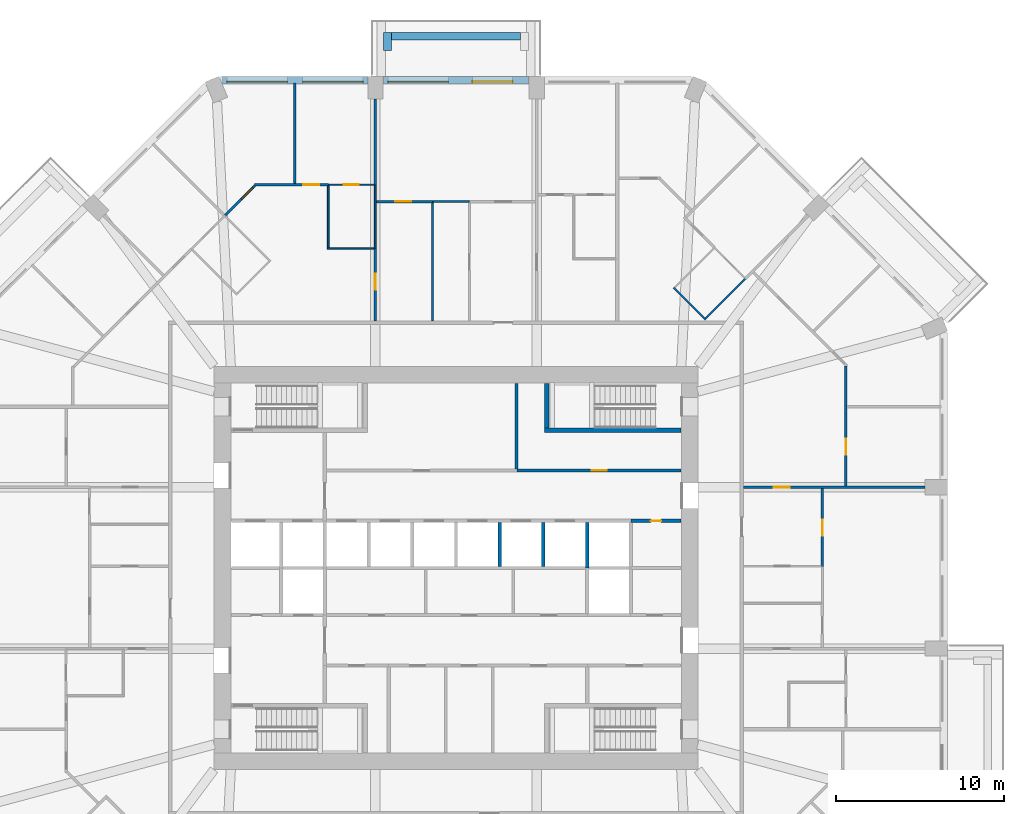
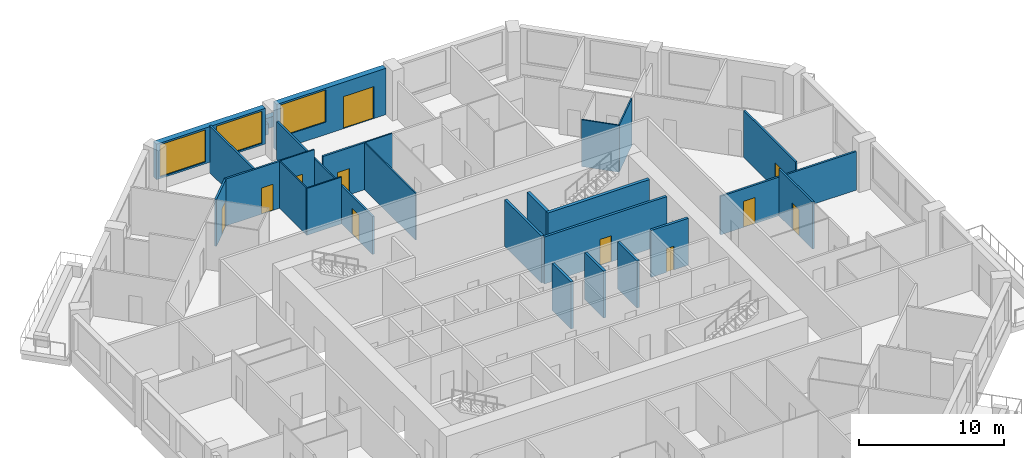
# One storey, part 9 of 13: 29 walls, 11 doors, 3 windows, 14 openings.
"""IFC4 building model written with IfcOpenShell, lengths in metres."""

from ifc_helpers import new_model, si_unit, direction, frame, frame_2d, origin, place, context, subcontext, project, spatial, rectangle, extrude, material, layer, layer_set, type_object, element, fill, save


model = new_model("IFC4")

# Units and contexts
model_context = context("Model", 3, precision=1e-05, world=origin(), true_north=direction((0.0, 1.0)))
body_context = subcontext(model_context, "Body", "Model", "MODEL_VIEW")
ifc_project = project(units=[si_unit("LENGTHUNIT", "METRE"), si_unit("AREAUNIT", "SQUARE_METRE"), si_unit("VOLUMEUNIT", "CUBIC_METRE"), si_unit("PLANEANGLEUNIT", "RADIAN"), si_unit("MASSUNIT", "GRAM", prefix="KILO")], contexts=[model_context])

# Site, building, storey
site_placement = place(None, origin())
site = spatial("IfcSite", under=ifc_project, at=site_placement, CompositionType="ELEMENT")
building_placement = place(site_placement, origin())
building = spatial("IfcBuilding", under=site, at=building_placement, Name="Msitu Wima Residences", CompositionType="ELEMENT")
storey_placement = place(building_placement, frame((0.0, 0.0, 50.699951171875)))
storey = spatial("IfcBuildingStorey", under=building, at=storey_placement, Name="L11", CompositionType="ELEMENT", Elevation=50.699951171875)

# Walls
ifc_material_1 = material(Name="Facing brick")
ifc_layer_1 = layer(ifc_material_1, 0.06494140625, Name="Facing brick")
ifc_material_2 = material(Name="Concrete C40/50", Category="concrete")
ifc_layer_2 = layer(ifc_material_2, 0.156005859375, Name="Concrete C40/50")
ifc_material_3 = material(Name="Waterproofing membrane")
ifc_layer_3 = layer(ifc_material_3, 0.00390625, Name="Waterproofing membrane")
ifc_material_4 = material(Name="Planting soil and planting")
ifc_layer_4 = layer(ifc_material_4, 0.22509765625, Name="Planting soil and planting")
ifc_layer_set_1 = layer_set([ifc_layer_1, ifc_layer_2, ifc_layer_3, ifc_layer_4], Name="Concrete C40/50")
wall_type_1 = type_object("IfcWallType", Name="Balcony planter PLANTER PL450", PredefinedType="USERDEFINED", material=ifc_layer_set_1)
wall_1_placement = place(storey_placement, frame((3.85009765625, 31.625, 0.0), z_axis=(0.0, 0.0, 1.0), x_axis=(-1.0, 0.0, 0.0)))
element("IfcWall", 1, at=wall_1_placement, inside=storey, type_object=wall_type_1, Name="Balcony planter N1 L11", ObjectType="PLANTER", PredefinedType="USERDEFINED", context=body_context, shape_type="SweptSolid", body=[
    extrude(rectangle(XDim=7.7001953125, YDim=0.449951171875, at=frame_2d((3.85009765625, 0.0))), origin(), (0.0, 0.0, 1.0), 0.900146484375),
])
wall_2_placement = place(storey_placement, frame((-4.074951171875, 30.800048828125, 0.0), z_axis=(0.0, 0.0, 1.0), x_axis=(0.0, 1.0, 0.0)))
element("IfcWall", 2, at=wall_2_placement, inside=storey, type_object=wall_type_1, Name="Balcony planter N1 L11", ObjectType="PLANTER", PredefinedType="USERDEFINED", context=body_context, shape_type="SweptSolid", body=[
    extrude(rectangle(XDim=1.050048828125, YDim=0.449951171875, at=frame_2d((0.52490234375, 0.0))), origin(), (0.0, 0.0, 1.0), 0.900146484375),
])

# Wall, openings, door, window
ifc_material_5 = material(Name="Brick (red buff mix)", Category="masonry")
ifc_layer_5 = layer(ifc_material_5, 0.449951171875)
ifc_layer_set_2 = layer_set([ifc_layer_5], Name="Brick (red buff mix)")
wall_type_2 = type_object("IfcWallType", Name="Brick infill wall BW450", PredefinedType="SOLIDWALL", material=ifc_layer_set_2)
wall_3_placement = place(storey_placement, frame((4.35009765625, 29.02490234375, 0.0), z_axis=(0.0, 0.0, 1.0), x_axis=(-1.0, 0.0, 0.0)))
wall_3 = element("IfcWall", 3, at=wall_3_placement, inside=storey, type_object=wall_type_2, Name="Brick infill wall L11 N1", PredefinedType="SOLIDWALL", context=body_context, shape_type="SweptSolid", body=[
    extrude(rectangle(XDim=8.7001953125, YDim=0.449951171875, at=frame_2d((4.35009765625, 0.0))), origin(), (0.0, 0.0, 1.0), 3.900146484375),
])
opening_1_placement = place(wall_3_placement, frame((0.97509765625, 0.0, 0.0)))
opening_1 = element("IfcOpeningElement", 4, at=opening_1_placement, cuts=wall_3, Name="Opening D11-12.002", PredefinedType="OPENING", context=body_context, shape_type="SweptSolid", body=[
    extrude(rectangle(XDim=2.39990234375, YDim=2.699951171875, at=frame_2d((1.199951171875, 1.35009765625))), frame((0.0, 0.23486328125, 0.0), z_axis=(0.0, -1.0, 0.0), x_axis=(1.0, 0.0, 0.0)), (0.0, 0.0, 1.0), 0.469970703125),
])
opening_2_placement = place(wall_3_placement, frame((4.800048828125, 0.0, 1.050048828125)))
opening_2 = element("IfcOpeningElement", 5, at=opening_2_placement, cuts=wall_3, Name="Opening W11-12.008", PredefinedType="OPENING", context=body_context, shape_type="SweptSolid", body=[
    extrude(rectangle(XDim=3.60009765625, YDim=2.699951171875, at=frame_2d((1.800048828125, 1.35009765625))), frame((0.0, 0.23486328125, 0.0), z_axis=(0.0, -1.0, 0.0), x_axis=(1.0, 0.0, 0.0)), (0.0, 0.0, 1.0), 0.469970703125),
])
ifc_material_6 = material(Name="Anodised aluminium, bronze finish, clear low-emissivity double glazing", Category="aluminium")
door_type_1 = type_object("IfcDoorType", Name="Balcony door D2400x2700", OperationType="SLIDING_TO_LEFT", PredefinedType="DOOR", material=ifc_material_6)
door_1_placement = place(opening_1_placement, origin())
door_1 = element("IfcDoor", 6, at=door_1_placement, inside=storey, type_object=door_type_1, Name="Balcony door L11 N1", OperationType="SINGLE_SWING_LEFT", OverallHeight=2.699951171875, OverallWidth=2.39990234375, PredefinedType="DOOR", context=body_context, shape_type="SweptSolid", body=[
    extrude(rectangle(XDim=2.39990234375, YDim=2.699951171875, at=frame_2d((1.199951171875, 1.35009765625))), frame((0.0, 0.1298828125, 0.0), z_axis=(0.0, -1.0, 0.0), x_axis=(1.0, 0.0, 0.0)), (0.0, 0.0, 1.0), 0.050048828125),
])
fill(opening_1, door_1)
window_type = type_object("IfcWindowType", Name="Window W3600x2700", PartitioningType="DOUBLE_PANEL_VERTICAL", PredefinedType="WINDOW", material=ifc_material_6)
window_1_placement = place(opening_2_placement, origin())
window_1 = element("IfcWindow", 7, at=window_1_placement, inside=storey, type_object=window_type, Name="Window L11 N1.2", OverallHeight=2.699951171875, OverallWidth=3.60009765625, PartitioningType="SINGLE_PANEL", PredefinedType="WINDOW", context=body_context, shape_type="SweptSolid", body=[
    extrude(rectangle(XDim=3.60009765625, YDim=2.699951171875, at=frame_2d((1.800048828125, 1.35009765625))), frame((0.0, 0.135009765625, 0.0), z_axis=(0.0, -1.0, 0.0), x_axis=(1.0, 0.0, 0.0)), (0.0, 0.0, 1.0), 0.06005859375),
])
fill(opening_2, window_1)

# Wall, openings, windows
wall_4_placement = place(storey_placement, frame((-5.25, 29.02490234375, 0.900146484375), z_axis=(0.0, 0.0, 1.0), x_axis=(-1.0, 0.0, 0.0)))
wall_4 = element("IfcWall", 8, at=wall_4_placement, inside=storey, type_object=wall_type_2, Name="Brick infill wall L11 N2", PredefinedType="SOLIDWALL", context=body_context, shape_type="SweptSolid", body=[
    extrude(rectangle(XDim=8.662841796875, YDim=0.449951171875, at=frame_2d((4.33154296875, 0.0))), origin(), (0.0, 0.0, 1.0), 3.0),
])
opening_3_placement = place(wall_4_placement, frame((0.281494140625, 0.0, 0.14990234375)))
opening_3 = element("IfcOpeningElement", 9, at=opening_3_placement, cuts=wall_4, Name="Opening W11-12.009", PredefinedType="OPENING", context=body_context, shape_type="SweptSolid", body=[
    extrude(rectangle(XDim=3.60009765625, YDim=2.699951171875, at=frame_2d((1.800048828125, 1.35009765625))), frame((0.0, 0.23486328125, 0.0), z_axis=(0.0, -1.0, 0.0), x_axis=(1.0, 0.0, 0.0)), (0.0, 0.0, 1.0), 0.469970703125),
])
opening_4_placement = place(wall_4_placement, frame((4.781494140625, 0.0, 0.14990234375)))
opening_4 = element("IfcOpeningElement", 10, at=opening_4_placement, cuts=wall_4, Name="Opening W11-12.010", PredefinedType="OPENING", context=body_context, shape_type="SweptSolid", body=[
    extrude(rectangle(XDim=3.60009765625, YDim=2.699951171875, at=frame_2d((1.800048828125, 1.35009765625))), frame((0.0, 0.23486328125, 0.0), z_axis=(0.0, -1.0, 0.0), x_axis=(1.0, 0.0, 0.0)), (0.0, 0.0, 1.0), 0.469970703125),
])
window_2_placement = place(opening_3_placement, origin())
window_2 = element("IfcWindow", 11, at=window_2_placement, inside=storey, type_object=window_type, Name="Window L11 N2.1", OverallHeight=2.699951171875, OverallWidth=3.60009765625, PartitioningType="SINGLE_PANEL", PredefinedType="WINDOW", context=body_context, shape_type="SweptSolid", body=[
    extrude(rectangle(XDim=3.60009765625, YDim=2.699951171875, at=frame_2d((1.800048828125, 1.35009765625))), frame((0.0, 0.135009765625, 0.0), z_axis=(0.0, -1.0, 0.0), x_axis=(1.0, 0.0, 0.0)), (0.0, 0.0, 1.0), 0.06005859375),
])
fill(opening_3, window_2)
window_3_placement = place(opening_4_placement, origin())
window_3 = element("IfcWindow", 12, at=window_3_placement, inside=storey, type_object=window_type, Name="Window L11 N2.2", OverallHeight=2.699951171875, OverallWidth=3.60009765625, PartitioningType="SINGLE_PANEL", PredefinedType="WINDOW", context=body_context, shape_type="SweptSolid", body=[
    extrude(rectangle(XDim=3.60009765625, YDim=2.699951171875, at=frame_2d((1.800048828125, 1.35009765625))), frame((0.0, 0.135009765625, 0.0), z_axis=(0.0, -1.0, 0.0), x_axis=(1.0, 0.0, 0.0)), (0.0, 0.0, 1.0), 0.06005859375),
])
fill(opening_4, window_3)

# Wall, opening, door
ifc_material_7 = material(Name="Plaster")
ifc_layer_6 = layer(ifc_material_7, 0.011962890625, Name="Plaster")
ifc_material_8 = material(Name="Concrete blockwork", Category="masonry")
ifc_layer_7 = layer(ifc_material_8, 0.1259765625, Name="Concrete blockwork")
ifc_layer_8 = layer(ifc_material_7, 0.011962890625, Name="Plaster")
ifc_layer_set_3 = layer_set([ifc_layer_6, ifc_layer_7, ifc_layer_8], Name="Concrete blockwork")
wall_type_3 = type_object("IfcWallType", Name="Partition PW150", PredefinedType="PARTITIONING", material=ifc_layer_set_3)
wall_5_placement = place(storey_placement, frame((-13.7431640625, 20.971435546875, 0.0), z_axis=(0.0, 0.0, 1.0), x_axis=(0.707058164405, 0.707155394626, 0.0)))
wall_5 = element("IfcWall", 13, at=wall_5_placement, inside=storey, type_object=wall_type_3, Name="Partition", PredefinedType="PARTITIONING", context=body_context, shape_type="SweptSolid", body=[
    extrude(rectangle(XDim=2.510986328125, YDim=0.14990234375, at=frame_2d((1.25537109375, 0.0))), origin(), (0.0, 0.0, 1.0), 3.949951171875),
])
opening_5_placement = place(wall_5_placement, frame((1.39990234375, 0.0, 0.0)))
opening_5 = element("IfcOpeningElement", 14, at=opening_5_placement, cuts=wall_5, Name="Opening D11-12.056", PredefinedType="OPENING", context=body_context, shape_type="SweptSolid", body=[
    extrude(rectangle(XDim=0.949951171875, YDim=2.199951171875, at=frame_2d((0.47509765625, 1.10009765625))), frame((0.0, 0.0849609375, 0.0), z_axis=(0.0, -1.0, 0.0), x_axis=(1.0, 0.0, 0.0)), (0.0, 0.0, 1.0), 0.169921875),
])
ifc_material_9 = material(Name="Timber flush door", Category="wood")
door_type_2 = type_object("IfcDoorType", Name="Room door D12 950x2200", OperationType="SINGLE_SWING_LEFT", PredefinedType="DOOR", material=ifc_material_9)
door_2_placement = place(opening_5_placement, origin())
door_2 = element("IfcDoor", 15, at=door_2_placement, inside=storey, type_object=door_type_2, Name="Room door", OperationType="SINGLE_SWING_LEFT", OverallHeight=2.199951171875, OverallWidth=0.949951171875, PredefinedType="DOOR", context=body_context, shape_type="SweptSolid", body=[
    extrude(rectangle(XDim=0.949951171875, YDim=2.199951171875, at=frame_2d((0.47509765625, 1.10009765625))), frame((0.0, 0.02490234375, 0.0), z_axis=(0.0, -1.0, 0.0), x_axis=(1.0, 0.0, 0.0)), (0.0, 0.0, 1.0), 0.050048828125),
])
fill(opening_5, door_2)

wall_6_placement = place(storey_placement, frame((-11.98974609375, 22.800048828125, 0.0), z_axis=(0.0, 0.0, 1.0), x_axis=(1.0, 0.0, 0.0)))
wall_6 = element("IfcWall", 16, at=wall_6_placement, inside=storey, type_object=wall_type_3, Name="Partition", PredefinedType="PARTITIONING", context=body_context, shape_type="SweptSolid", body=[
    extrude(rectangle(XDim=4.40966796875, YDim=0.14990234375, at=frame_2d((2.204833984375, 0.0))), origin(), (0.0, 0.0, 1.0), 3.949951171875),
])
opening_6_placement = place(wall_6_placement, frame((2.89990234375, 0.0, 0.0)))
opening_6 = element("IfcOpeningElement", 17, at=opening_6_placement, cuts=wall_6, Name="Opening D11-12.053", PredefinedType="OPENING", context=body_context, shape_type="SweptSolid", body=[
    extrude(rectangle(XDim=0.949951171875, YDim=2.199951171875, at=frame_2d((0.47509765625, 1.10009765625))), frame((0.0, 0.0849609375, 0.0), z_axis=(0.0, -1.0, 0.0), x_axis=(1.0, 0.0, 0.0)), (0.0, 0.0, 1.0), 0.169921875),
])
door_3_placement = place(opening_6_placement, origin())
door_3 = element("IfcDoor", 18, at=door_3_placement, inside=storey, type_object=door_type_2, Name="Room door", OperationType="SINGLE_SWING_LEFT", OverallHeight=2.199951171875, OverallWidth=0.949951171875, PredefinedType="DOOR", context=body_context, shape_type="SweptSolid", body=[
    extrude(rectangle(XDim=0.949951171875, YDim=2.199951171875, at=frame_2d((0.47509765625, 1.10009765625))), frame((0.0, 0.02490234375, 0.0), z_axis=(0.0, -1.0, 0.0), x_axis=(1.0, 0.0, 0.0)), (0.0, 0.0, 1.0), 0.050048828125),
])
fill(opening_6, door_3)

# Wall
wall_7_placement = place(storey_placement, frame((-9.60009765625, 22.875, 0.0), z_axis=(0.0, 0.0, 1.0), x_axis=(0.0, 1.0, 0.0)))
element("IfcWall", 19, at=wall_7_placement, inside=storey, type_object=wall_type_3, Name="Partition", PredefinedType="PARTITIONING", context=body_context, shape_type="SweptSolid", body=[
    extrude(rectangle(XDim=5.97998046875, YDim=0.14990234375, at=frame_2d((2.989990234375, 0.0))), origin(), (0.0, 0.0, 1.0), 3.949951171875),
])

# Wall, opening, door
wall_8_placement = place(storey_placement, frame((-4.800048828125, 14.699951171875, 0.0), z_axis=(0.0, 0.0, 1.0), x_axis=(0.0, 1.0, 0.0)))
wall_8 = element("IfcWall", 20, at=wall_8_placement, inside=storey, type_object=wall_type_3, Name="Partition", PredefinedType="PARTITIONING", context=body_context, shape_type="SweptSolid", body=[
    extrude(rectangle(XDim=4.320068359375, YDim=0.14990234375, at=frame_2d((2.16015625, 0.0))), origin(), (0.0, 0.0, 1.0), 3.199951171875),
])
opening_7_placement = place(wall_8_placement, frame((1.85009765625, 0.0, 0.0)))
opening_7 = element("IfcOpeningElement", 21, at=opening_7_placement, cuts=wall_8, Name="Opening D11-12.049", PredefinedType="OPENING", context=body_context, shape_type="SweptSolid", body=[
    extrude(rectangle(XDim=0.949951171875, YDim=2.199951171875, at=frame_2d((0.47509765625, 1.10009765625))), frame((0.0, 0.0849609375, 0.0), z_axis=(0.0, -1.0, 0.0), x_axis=(1.0, 0.0, 0.0)), (0.0, 0.0, 1.0), 0.169921875),
])
door_4_placement = place(opening_7_placement, origin())
door_4 = element("IfcDoor", 22, at=door_4_placement, inside=storey, type_object=door_type_2, Name="Room door", OperationType="SINGLE_SWING_RIGHT", OverallHeight=2.199951171875, OverallWidth=0.949951171875, PredefinedType="DOOR", context=body_context, shape_type="SweptSolid", body=[
    extrude(rectangle(XDim=0.949951171875, YDim=2.199951171875, at=frame_2d((0.47509765625, 1.10009765625))), frame((0.0, 0.02490234375, 0.0), z_axis=(0.0, -1.0, 0.0), x_axis=(1.0, 0.0, 0.0)), (0.0, 0.0, 1.0), 0.050048828125),
])
fill(opening_7, door_4)

wall_9_placement = place(storey_placement, frame((-4.75, 21.800048828125, 0.0), z_axis=(0.0, 0.0, 1.0), x_axis=(1.0, 0.0, 0.0)))
wall_9 = element("IfcWall", 23, at=wall_9_placement, inside=storey, type_object=wall_type_3, Name="Partition", PredefinedType="PARTITIONING", context=body_context, shape_type="SweptSolid", body=[
    extrude(rectangle(XDim=3.3701171875, YDim=0.14990234375, at=frame_2d((1.68505859375, 0.0))), origin(), (0.0, 0.0, 1.0), 3.949951171875),
])
opening_8_placement = place(wall_9_placement, frame((1.14990234375, 0.0, 0.0)))
opening_8 = element("IfcOpeningElement", 24, at=opening_8_placement, cuts=wall_9, Name="Opening D11-12.047", PredefinedType="OPENING", context=body_context, shape_type="SweptSolid", body=[
    extrude(rectangle(XDim=0.949951171875, YDim=2.199951171875, at=frame_2d((0.47509765625, 1.10009765625))), frame((0.0, 0.0849609375, 0.0), z_axis=(0.0, -1.0, 0.0), x_axis=(1.0, 0.0, 0.0)), (0.0, 0.0, 1.0), 0.169921875),
])
door_5_placement = place(opening_8_placement, origin())
door_5 = element("IfcDoor", 25, at=door_5_placement, inside=storey, type_object=door_type_2, Name="Room door", OperationType="SINGLE_SWING_LEFT", OverallHeight=2.199951171875, OverallWidth=0.949951171875, PredefinedType="DOOR", context=body_context, shape_type="SweptSolid", body=[
    extrude(rectangle(XDim=0.949951171875, YDim=2.199951171875, at=frame_2d((0.47509765625, 1.10009765625))), frame((0.0, 0.02490234375, 0.0), z_axis=(0.0, -1.0, 0.0), x_axis=(1.0, 0.0, 0.0)), (0.0, 0.0, 1.0), 0.050048828125),
])
fill(opening_8, door_5)

# Wall
wall_10_placement = place(storey_placement, frame((-4.800048828125, 22.780029296875, 0.0), z_axis=(0.0, 0.0, 1.0), x_axis=(0.0, 1.0, 0.0)))
element("IfcWall", 26, at=wall_10_placement, inside=storey, type_object=wall_type_3, Name="Partition", PredefinedType="PARTITIONING", context=body_context, shape_type="SweptSolid", body=[
    extrude(rectangle(XDim=5.119873046875, YDim=0.14990234375, at=frame_2d((2.56005859375, 0.0))), origin(), (0.0, 0.0, 1.0), 3.199951171875),
])

# Wall, opening, door
wall_11_placement = place(storey_placement, frame((17.10009765625, 4.800048828125, 0.0), z_axis=(0.0, 0.0, 1.0), x_axis=(1.0, 0.0, 0.0)))
wall_11 = element("IfcWall", 27, at=wall_11_placement, inside=storey, type_object=wall_type_3, Name="Partition", PredefinedType="PARTITIONING", context=body_context, shape_type="SweptSolid", body=[
    extrude(rectangle(XDim=10.7998046875, YDim=0.14990234375, at=frame_2d((5.39990234375, 0.0))), origin(), (0.0, 0.0, 1.0), 3.25),
])
opening_9_placement = place(wall_11_placement, frame((1.800048828125, 0.0, 0.0)))
opening_9 = element("IfcOpeningElement", 28, at=opening_9_placement, cuts=wall_11, Name="Opening D11-12.059", PredefinedType="OPENING", context=body_context, shape_type="SweptSolid", body=[
    extrude(rectangle(XDim=0.949951171875, YDim=2.199951171875, at=frame_2d((0.47509765625, 1.10009765625))), frame((0.0, 0.0849609375, 0.0), z_axis=(0.0, -1.0, 0.0), x_axis=(1.0, 0.0, 0.0)), (0.0, 0.0, 1.0), 0.169921875),
])
door_6_placement = place(opening_9_placement, origin())
door_6 = element("IfcDoor", 29, at=door_6_placement, inside=storey, type_object=door_type_2, Name="Room door", OperationType="SINGLE_SWING_LEFT", OverallHeight=2.199951171875, OverallWidth=0.949951171875, PredefinedType="DOOR", context=body_context, shape_type="SweptSolid", body=[
    extrude(rectangle(XDim=0.949951171875, YDim=2.199951171875, at=frame_2d((0.47509765625, 1.10009765625))), frame((0.0, 0.02490234375, 0.0), z_axis=(0.0, -1.0, 0.0), x_axis=(1.0, 0.0, 0.0)), (0.0, 0.0, 1.0), 0.050048828125),
])
fill(opening_9, door_6)

wall_12_placement = place(storey_placement, frame((21.800048828125, 0.080078125, 0.0), z_axis=(0.0, 0.0, 1.0), x_axis=(0.0, 1.0, 0.0)))
wall_12 = element("IfcWall", 30, at=wall_12_placement, inside=storey, type_object=wall_type_3, Name="Partition", PredefinedType="PARTITIONING", context=body_context, shape_type="SweptSolid", body=[
    extrude(rectangle(XDim=4.64501953125, YDim=0.14990234375, at=frame_2d((2.322509765625, 0.0))), origin(), (0.0, 0.0, 1.0), 3.949951171875),
])
opening_10_placement = place(wall_12_placement, frame((1.85009765625, 0.0, 0.0)))
opening_10 = element("IfcOpeningElement", 31, at=opening_10_placement, cuts=wall_12, Name="Opening D11-12.037", PredefinedType="OPENING", context=body_context, shape_type="SweptSolid", body=[
    extrude(rectangle(XDim=0.949951171875, YDim=2.199951171875, at=frame_2d((0.47509765625, 1.10009765625))), frame((0.0, 0.0849609375, 0.0), z_axis=(0.0, -1.0, 0.0), x_axis=(1.0, 0.0, 0.0)), (0.0, 0.0, 1.0), 0.169921875),
])
door_7_placement = place(opening_10_placement, origin())
door_7 = element("IfcDoor", 32, at=door_7_placement, inside=storey, type_object=door_type_2, Name="Room door", OperationType="SINGLE_SWING_LEFT", OverallHeight=2.199951171875, OverallWidth=0.949951171875, PredefinedType="DOOR", context=body_context, shape_type="SweptSolid", body=[
    extrude(rectangle(XDim=0.949951171875, YDim=2.199951171875, at=frame_2d((0.47509765625, 1.10009765625))), frame((0.0, 0.02490234375, 0.0), z_axis=(0.0, -1.0, 0.0), x_axis=(1.0, 0.0, 0.0)), (0.0, 0.0, 1.0), 0.050048828125),
])
fill(opening_10, door_7)

wall_13_placement = place(storey_placement, frame((23.199951171875, 4.875, 0.0), z_axis=(0.0, 0.0, 1.0), x_axis=(0.0, 1.0, 0.0)))
wall_13 = element("IfcWall", 33, at=wall_13_placement, inside=storey, type_object=wall_type_3, Name="Partition", PredefinedType="PARTITIONING", context=body_context, shape_type="SweptSolid", body=[
    extrude(rectangle(XDim=7.13037109375, YDim=0.14990234375, at=frame_2d((3.565185546875, 0.0))), origin(), (0.0, 0.0, 1.0), 3.949951171875),
])
opening_11_placement = place(wall_13_placement, frame((1.85009765625, 0.0, 0.0)))
opening_11 = element("IfcOpeningElement", 34, at=opening_11_placement, cuts=wall_13, Name="Opening D11-12.070", PredefinedType="OPENING", context=body_context, shape_type="SweptSolid", body=[
    extrude(rectangle(XDim=0.949951171875, YDim=2.199951171875, at=frame_2d((0.47509765625, 1.10009765625))), frame((0.0, 0.0849609375, 0.0), z_axis=(0.0, -1.0, 0.0), x_axis=(1.0, 0.0, 0.0)), (0.0, 0.0, 1.0), 0.169921875),
])
door_8_placement = place(opening_11_placement, origin())
door_8 = element("IfcDoor", 35, at=door_8_placement, inside=storey, type_object=door_type_2, Name="Room door", OperationType="SINGLE_SWING_RIGHT", OverallHeight=2.199951171875, OverallWidth=0.949951171875, PredefinedType="DOOR", context=body_context, shape_type="SweptSolid", body=[
    extrude(rectangle(XDim=0.949951171875, YDim=2.199951171875, at=frame_2d((0.47509765625, 1.10009765625))), frame((0.0, 0.02490234375, 0.0), z_axis=(0.0, -1.0, 0.0), x_axis=(1.0, 0.0, 0.0)), (0.0, 0.0, 1.0), 0.050048828125),
])
fill(opening_11, door_8)

ifc_layer_9 = layer(ifc_material_7, 0.011962890625, Name="Plaster")
ifc_material_10 = material(Name="Reinforced concrete blockwork", Category="masonry")
ifc_layer_10 = layer(ifc_material_10, 0.176025390625, Name="Reinforced concrete blockwork")
ifc_layer_11 = layer(ifc_material_7, 0.011962890625, Name="Plaster")
ifc_layer_set_4 = layer_set([ifc_layer_9, ifc_layer_10, ifc_layer_11], Name="Reinforced concrete blockwork")
wall_type_4 = type_object("IfcWallType", Name="Plant and riser wall PL200", PredefinedType="PARTITIONING", material=ifc_layer_set_4)
wall_14_placement = place(storey_placement, frame((3.6201171875, 5.800048828125, 0.0), z_axis=(0.0, 0.0, 1.0), x_axis=(1.0, 0.0, 0.0)))
wall_14 = element("IfcWall", 36, at=wall_14_placement, inside=storey, type_object=wall_type_4, Name="Plant and riser wall", PredefinedType="PARTITIONING", context=body_context, shape_type="SweptSolid", body=[
    extrude(rectangle(XDim=9.75, YDim=0.199951171875, at=frame_2d((4.875, 0.0))), origin(), (0.0, 0.0, 1.0), 3.949951171875),
])
opening_12_placement = place(wall_14_placement, frame((4.449951171875, 0.0, 0.0)))
opening_12 = element("IfcOpeningElement", 37, at=opening_12_placement, cuts=wall_14, Name="Opening D11-12.018", PredefinedType="OPENING", context=body_context, shape_type="SweptSolid", body=[
    extrude(rectangle(XDim=0.89990234375, YDim=2.199951171875, at=frame_2d((0.449951171875, 1.10009765625))), frame((0.0, 0.10986328125, 0.0), z_axis=(0.0, -1.0, 0.0), x_axis=(1.0, 0.0, 0.0)), (0.0, 0.0, 1.0), 0.219970703125),
])
door_type_3 = type_object("IfcDoorType", Name="Service door D05 900x2200", OperationType="SINGLE_SWING_LEFT", PredefinedType="DOOR", material=ifc_material_9)
door_9_placement = place(opening_12_placement, origin())
door_9 = element("IfcDoor", 38, at=door_9_placement, inside=storey, type_object=door_type_3, Name="Service door", OperationType="SINGLE_SWING_RIGHT", OverallHeight=2.199951171875, OverallWidth=0.89990234375, PredefinedType="DOOR", context=body_context, shape_type="SweptSolid", body=[
    extrude(rectangle(XDim=0.89990234375, YDim=2.199951171875, at=frame_2d((0.449951171875, 1.10009765625))), frame((0.0, 0.02490234375, 0.0), z_axis=(0.0, -1.0, 0.0), x_axis=(1.0, 0.0, 0.0)), (0.0, 0.0, 1.0), 0.050048828125),
])
fill(opening_12, door_9)

# Wall
wall_15_placement = place(storey_placement, frame((3.60009765625, 5.89990234375, 0.0), z_axis=(0.0, 0.0, 1.0), x_axis=(0.0, 1.0, 0.0)))
element("IfcWall", 39, at=wall_15_placement, inside=storey, type_object=wall_type_4, Name="Plant and riser wall", PredefinedType="PARTITIONING", context=body_context, shape_type="SweptSolid", body=[
    extrude(rectangle(XDim=5.070068359375, YDim=0.199951171875, at=frame_2d((2.53515625, 0.0))), origin(), (0.0, 0.0, 1.0), 3.949951171875),
])

# Wall, opening, door
wall_16_placement = place(storey_placement, frame((10.39990234375, 2.800048828125, 0.0), z_axis=(0.0, 0.0, 1.0), x_axis=(1.0, 0.0, 0.0)))
wall_16 = element("IfcWall", 40, at=wall_16_placement, inside=storey, type_object=wall_type_4, Name="Plant and riser wall", PredefinedType="PARTITIONING", context=body_context, shape_type="SweptSolid", body=[
    extrude(rectangle(XDim=2.97021484375, YDim=0.199951171875, at=frame_2d((1.485107421875, 0.0))), origin(), (0.0, 0.0, 1.0), 3.949951171875),
])
opening_13_placement = place(wall_16_placement, frame((1.199951171875, 0.0, 0.0)))
opening_13 = element("IfcOpeningElement", 41, at=opening_13_placement, cuts=wall_16, Name="Opening D11-12.026", PredefinedType="OPENING", context=body_context, shape_type="SweptSolid", body=[
    extrude(rectangle(XDim=0.60009765625, YDim=2.0, at=frame_2d((0.300048828125, 1.0))), frame((0.0, 0.10986328125, 0.0), z_axis=(0.0, -1.0, 0.0), x_axis=(1.0, 0.0, 0.0)), (0.0, 0.0, 1.0), 0.219970703125),
])
ifc_material_11 = material(Name="Steel access door, fire resisting", Category="steel")
door_type_4 = type_object("IfcDoorType", Name="Riser access door D08 600x2000", OperationType="SINGLE_SWING_LEFT", PredefinedType="DOOR", material=ifc_material_11)
door_10_placement = place(opening_13_placement, origin())
door_10 = element("IfcDoor", 42, at=door_10_placement, inside=storey, type_object=door_type_4, Name="Riser access door", OperationType="SINGLE_SWING_RIGHT", OverallHeight=2.0, OverallWidth=0.60009765625, PredefinedType="DOOR", context=body_context, shape_type="SweptSolid", body=[
    extrude(rectangle(XDim=0.60009765625, YDim=2.0, at=frame_2d((0.300048828125, 1.0))), frame((0.0, 0.02490234375, 0.0), z_axis=(0.0, -1.0, 0.0), x_axis=(1.0, 0.0, 0.0)), (0.0, 0.0, 1.0), 0.050048828125),
])
fill(opening_13, door_10)

# Walls
ifc_material_12 = material(Name="Fire-rated board")
ifc_layer_12 = layer(ifc_material_12, 0.02490234375, Name="Fire-rated board")
ifc_material_13 = material(Name="Light-gauge stud framing with mineral wool")
ifc_layer_13 = layer(ifc_material_13, 0.14990234375, Name="Light-gauge stud framing with mineral wool")
ifc_layer_14 = layer(ifc_material_12, 0.02490234375, Name="Fire-rated board")
ifc_layer_set_5 = layer_set([ifc_layer_12, ifc_layer_13, ifc_layer_14], Name="Light-gauge stud framing with mineral wool")
wall_type_5 = type_object("IfcWallType", Name="Shaft wall SH200", PredefinedType="PARTITIONING", material=ifc_layer_set_5)
for number, where, z_axis, x_axis, name in (
    (43, (2.60009765625, 0.10009765625, 0.0), (0.0, 0.0, 1.0), (0.0, 1.0, 0.0), "Shaft wall"),
    (44, (5.199951171875, 0.10009765625, 0.0), (0.0, 0.0, 1.0), (0.0, 1.0, 0.0), "Shaft wall"),
):
    element("IfcWall", number, at=place(storey_placement, frame(where, z_axis=z_axis, x_axis=x_axis)), inside=storey, type_object=wall_type_5, Name=name, PredefinedType="PARTITIONING", context=body_context, shape_type="SweptSolid", body=[
        extrude(rectangle(XDim=2.599853515625, YDim=0.199951171875, at=frame_2d((1.2998046875, 0.0))), origin(), (0.0, 0.0, 1.0), 3.949951171875),
    ])
wall_17_placement = place(storey_placement, frame((7.800048828125, 0.0, 0.0), z_axis=(0.0, 0.0, 1.0), x_axis=(0.0, 1.0, 0.0)))
element("IfcWall", 45, at=wall_17_placement, inside=storey, type_object=wall_type_5, Name="Shaft wall", PredefinedType="PARTITIONING", context=body_context, shape_type="SweptSolid", body=[
    extrude(rectangle(XDim=2.699951171875, YDim=0.199951171875, at=frame_2d((1.35009765625, 0.0))), origin(), (0.0, 0.0, 1.0), 3.949951171875),
])
ifc_material_14 = material(Name="Concrete C50/60", Category="concrete")
ifc_layer_15 = layer(ifc_material_14, 0.25)
ifc_layer_set_6 = layer_set([ifc_layer_15], Name="Concrete C50/60")
wall_type_6 = type_object("IfcWallType", Name="Stair enclosure wall SW250", PredefinedType="SHEAR", material=ifc_layer_set_6)
wall_18_placement = place(storey_placement, frame((5.39990234375, 8.324951171875, 0.0), z_axis=(0.0, 0.0, 1.0), x_axis=(0.0, 1.0, 0.0)))
element("IfcWall", 46, at=wall_18_placement, inside=storey, type_object=wall_type_6, Name="Stair enclosure wall", PredefinedType="SHEAR", context=body_context, shape_type="SweptSolid", body=[
    extrude(rectangle(XDim=2.64501953125, YDim=0.25, at=frame_2d((1.322509765625, 0.0))), origin(), (0.0, 0.0, 1.0), 3.949951171875),
])
wall_19_placement = place(storey_placement, frame((5.27490234375, 8.199951171875, 0.0), z_axis=(0.0, 0.0, 1.0), x_axis=(1.0, 0.0, 0.0)))
element("IfcWall", 47, at=wall_19_placement, inside=storey, type_object=wall_type_6, Name="Stair enclosure wall", PredefinedType="SHEAR", context=body_context, shape_type="SweptSolid", body=[
    extrude(rectangle(XDim=8.09521484375, YDim=0.25, at=frame_2d((4.047607421875, 0.0))), origin(), (0.0, 0.0, 1.0), 3.949951171875),
])

# Wall, opening, door
ifc_material_15 = material(Name="Ceramic tiles")
ifc_layer_16 = layer(ifc_material_15, 0.008056640625, Name="Ceramic tiles")
ifc_material_16 = material(Name="Moisture-resistant board")
ifc_layer_17 = layer(ifc_material_16, 0.012451171875, Name="Moisture-resistant board")
ifc_layer_18 = layer(ifc_material_13, 0.06689453125, Name="Light-gauge stud framing with mineral wool")
ifc_layer_19 = layer(ifc_material_16, 0.012451171875, Name="Moisture-resistant board")
ifc_layer_set_7 = layer_set([ifc_layer_16, ifc_layer_17, ifc_layer_18, ifc_layer_19], Name="Light-gauge stud framing with mineral wool")
wall_type_7 = type_object("IfcWallType", Name="Wet wall PW100", PredefinedType="PARTITIONING", material=ifc_layer_set_7)
wall_20_placement = place(storey_placement, frame((-7.580078125, 22.800048828125, 0.0), z_axis=(0.0, 0.0, 1.0), x_axis=(1.0, 0.0, 0.0)))
wall_20 = element("IfcWall", 48, at=wall_20_placement, inside=storey, type_object=wall_type_7, Name="Wet wall", PredefinedType="PARTITIONING", context=body_context, shape_type="SweptSolid", body=[
    extrude(rectangle(XDim=2.72998046875, YDim=0.10009765625, at=frame_2d((1.364990234375, 0.0))), origin(), (0.0, 0.0, 1.0), 3.949951171875),
])
opening_14_placement = place(wall_20_placement, frame((0.89990234375, 0.0, 0.0)))
opening_14 = element("IfcOpeningElement", 49, at=opening_14_placement, cuts=wall_20, Name="Opening D11-12.054", PredefinedType="OPENING", context=body_context, shape_type="SweptSolid", body=[
    extrude(rectangle(XDim=0.89990234375, YDim=2.199951171875, at=frame_2d((0.449951171875, 1.10009765625))), frame((0.0, 0.06005859375, 0.0), z_axis=(0.0, -1.0, 0.0), x_axis=(1.0, 0.0, 0.0)), (0.0, 0.0, 1.0), 0.1201171875),
])
ifc_material_17 = material(Name="Timber flush door, moisture resistant", Category="wood")
door_type_5 = type_object("IfcDoorType", Name="Bathroom door D03 900x2200", OperationType="SINGLE_SWING_LEFT", PredefinedType="DOOR", material=ifc_material_17)
door_11_placement = place(opening_14_placement, origin())
door_11 = element("IfcDoor", 50, at=door_11_placement, inside=storey, type_object=door_type_5, Name="Bathroom door", OperationType="SINGLE_SWING_RIGHT", OverallHeight=2.199951171875, OverallWidth=0.89990234375, PredefinedType="DOOR", context=body_context, shape_type="SweptSolid", body=[
    extrude(rectangle(XDim=0.89990234375, YDim=2.199951171875, at=frame_2d((0.449951171875, 1.10009765625))), frame((0.0, 0.02490234375, 0.0), z_axis=(0.0, -1.0, 0.0), x_axis=(1.0, 0.0, 0.0)), (0.0, 0.0, 1.0), 0.050048828125),
])
fill(opening_14, door_11)

# Walls
wall_21_placement = place(storey_placement, frame((-7.60009765625, 19.050048828125, 0.0), z_axis=(0.0, 0.0, 1.0), x_axis=(0.0, 1.0, 0.0)))
element("IfcWall", 51, at=wall_21_placement, inside=storey, type_object=wall_type_7, Name="Wet wall", PredefinedType="PARTITIONING", context=body_context, shape_type="SweptSolid", body=[
    extrude(rectangle(XDim=3.675048828125, YDim=0.10009765625, at=frame_2d((1.83740234375, 0.0))), origin(), (0.0, 0.0, 1.0), 3.949951171875),
])
wall_22_placement = place(storey_placement, frame((-7.64990234375, 19.0, 0.0), z_axis=(0.0, 0.0, 1.0), x_axis=(1.0, 0.0, 0.0)))
element("IfcWall", 52, at=wall_22_placement, inside=storey, type_object=wall_type_7, Name="Wet wall", PredefinedType="PARTITIONING", context=body_context, shape_type="SweptSolid", body=[
    extrude(rectangle(XDim=2.77490234375, YDim=0.10009765625, at=frame_2d((1.387451171875, 0.0))), origin(), (0.0, 0.0, 1.0), 3.949951171875),
])
wall_23_placement = place(storey_placement, frame((-4.800048828125, 19.02001953125, 0.0), z_axis=(0.0, 0.0, 1.0), x_axis=(0.0, 1.0, 0.0)))
element("IfcWall", 53, at=wall_23_placement, inside=storey, type_object=wall_type_7, Name="Wet wall", PredefinedType="PARTITIONING", context=body_context, shape_type="SweptSolid", body=[
    extrude(rectangle(XDim=3.760009765625, YDim=0.10009765625, at=frame_2d((1.8798828125, 0.0))), origin(), (0.0, 0.0, 1.0), 3.199951171875),
])
wall_24_placement = place(storey_placement, frame((-1.3798828125, 21.800048828125, 0.0), z_axis=(0.0, 0.0, 1.0), x_axis=(1.0, 0.0, 0.0)))
element("IfcWall", 54, at=wall_24_placement, inside=storey, type_object=wall_type_7, Name="Wet wall", PredefinedType="PARTITIONING", context=body_context, shape_type="SweptSolid", body=[
    extrude(rectangle(XDim=2.159912109375, YDim=0.10009765625, at=frame_2d((1.080078125, 0.0))), origin(), (0.0, 0.0, 1.0), 3.949951171875),
])
wall_25_placement = place(storey_placement, frame((-1.39990234375, 14.699951171875, 0.0), z_axis=(0.0, 0.0, 1.0), x_axis=(0.0, 1.0, 0.0)))
element("IfcWall", 55, at=wall_25_placement, inside=storey, type_object=wall_type_7, Name="Wet wall", PredefinedType="PARTITIONING", context=body_context, shape_type="SweptSolid", body=[
    extrude(rectangle(XDim=7.025146484375, YDim=0.10009765625, at=frame_2d((3.5126953125, 0.0))), origin(), (0.0, 0.0, 1.0), 3.949951171875),
])
wall_26_placement = place(storey_placement, frame((12.93798828125, 16.685546875, 0.0), z_axis=(0.0, 0.0, 1.0), x_axis=(0.707106781187, -0.707106781187, 0.0)))
element("IfcWall", 56, at=wall_26_placement, inside=storey, type_object=wall_type_7, Name="Wet wall", PredefinedType="PARTITIONING", context=body_context, shape_type="SweptSolid", body=[
    extrude(rectangle(XDim=2.699951171875, YDim=0.10009765625, at=frame_2d((1.35009765625, 0.0))), origin(), (0.0, 0.0, 1.0), 3.949951171875),
])
wall_27_placement = place(storey_placement, frame((14.84716796875, 14.84716796875, 0.0), z_axis=(0.0, 0.0, 1.0), x_axis=(0.707106781187, 0.707106781187, 0.0)))
element("IfcWall", 57, at=wall_27_placement, inside=storey, type_object=wall_type_7, Name="Wet wall", PredefinedType="PARTITIONING", context=body_context, shape_type="SweptSolid", body=[
    extrude(rectangle(XDim=3.330078125, YDim=0.10009765625, at=frame_2d((1.6650390625, 0.0))), origin(), (0.0, 0.0, 1.0), 3.949951171875),
])

save(model, "model.ifc")
